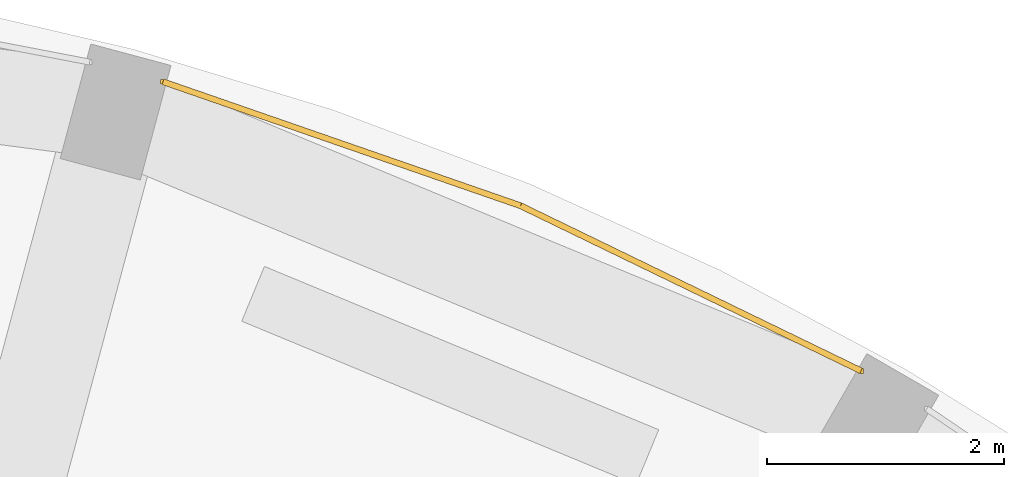
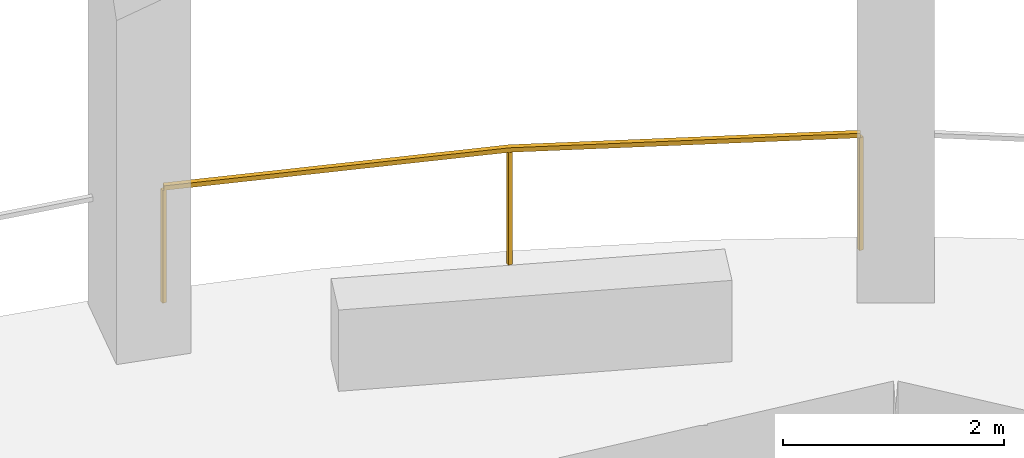
# One storey, part 9 of 9: 1 railing.
"""IFC4 building model written with IfcOpenShell, lengths in metres."""

from ifc_helpers import new_model, si_unit, direction, frame, origin, origin_2d, place, context, subcontext, project, spatial, rectangle, extrude, material, type_object, element, save


model = new_model("IFC4")

# Units and contexts
model_context = context("Model", 3, precision=1e-05, world=origin(), true_north=direction((0.0, 1.0)))
body_context = subcontext(model_context, "Body", "Model", "MODEL_VIEW")
ifc_project = project(units=[si_unit("LENGTHUNIT", "METRE"), si_unit("AREAUNIT", "SQUARE_METRE"), si_unit("VOLUMEUNIT", "CUBIC_METRE"), si_unit("PLANEANGLEUNIT", "RADIAN"), si_unit("MASSUNIT", "GRAM", prefix="KILO")], contexts=[model_context])

# Site, building, storey
site_placement = place(None, origin())
site = spatial("IfcSite", under=ifc_project, at=site_placement, CompositionType="ELEMENT")
building_placement = place(site_placement, origin())
building = spatial("IfcBuilding", under=site, at=building_placement, Name="Torre Triforio", CompositionType="ELEMENT")
storey_placement = place(building_placement, frame((0.0, 0.0, 75.0)))
storey = spatial("IfcBuildingStorey", under=building, at=storey_placement, Name="L16", CompositionType="ELEMENT", Elevation=75.0)

# Railing
ifc_material = material(Name="Stainless steel AISI 316", Category="steel")
railing_type = type_object("IfcRailingType", Name="Loggia guard 1300", PredefinedType="GUARDRAIL", material=ifc_material)
railing_placement = place(storey_placement, frame((13.14794921875, 23.412841796875, 0.0)))
element("IfcRailing", 1, at=railing_placement, inside=storey, type_object=railing_type, Name="Loggia guard L16 bay 05", PredefinedType="GUARDRAIL", context=body_context, shape_type="SweptSolid", body=[
    extrude(rectangle(XDim=0.050048828125, YDim=0.050048828125, at=origin_2d()), frame((0.0, 0.0, 1.27490234375), z_axis=(-0.899760432952, 0.436384192305, 0.0), x_axis=(-0.436384192305, -0.899760432952, 0.0)), (0.0, 0.0, 1.0), 3.19287109375),
    extrude(rectangle(XDim=0.050048828125, YDim=0.050048828125, at=origin_2d()), frame((-2.872802734375, 1.393310546875, 1.27490234375), z_axis=(-0.94480685358, 0.327627852034, 0.0), x_axis=(-0.327627852034, -0.94480685358, 0.0)), (0.0, 0.0, 1.0), 3.193115234375),
    extrude(rectangle(XDim=0.0400390625, YDim=0.0400390625, at=origin_2d()), origin(), (0.0, 0.0, 1.0), 1.25),
    extrude(rectangle(XDim=0.0400390625, YDim=0.0400390625, at=origin_2d()), frame((-2.872802734375, 1.393310546875, 0.0)), (0.0, 0.0, 1.0), 1.25),
    extrude(rectangle(XDim=0.0400390625, YDim=0.0400390625, at=origin_2d()), frame((-5.8896484375, 2.439453125, 0.0)), (0.0, 0.0, 1.0), 1.25),
])

save(model, "model.ifc")
